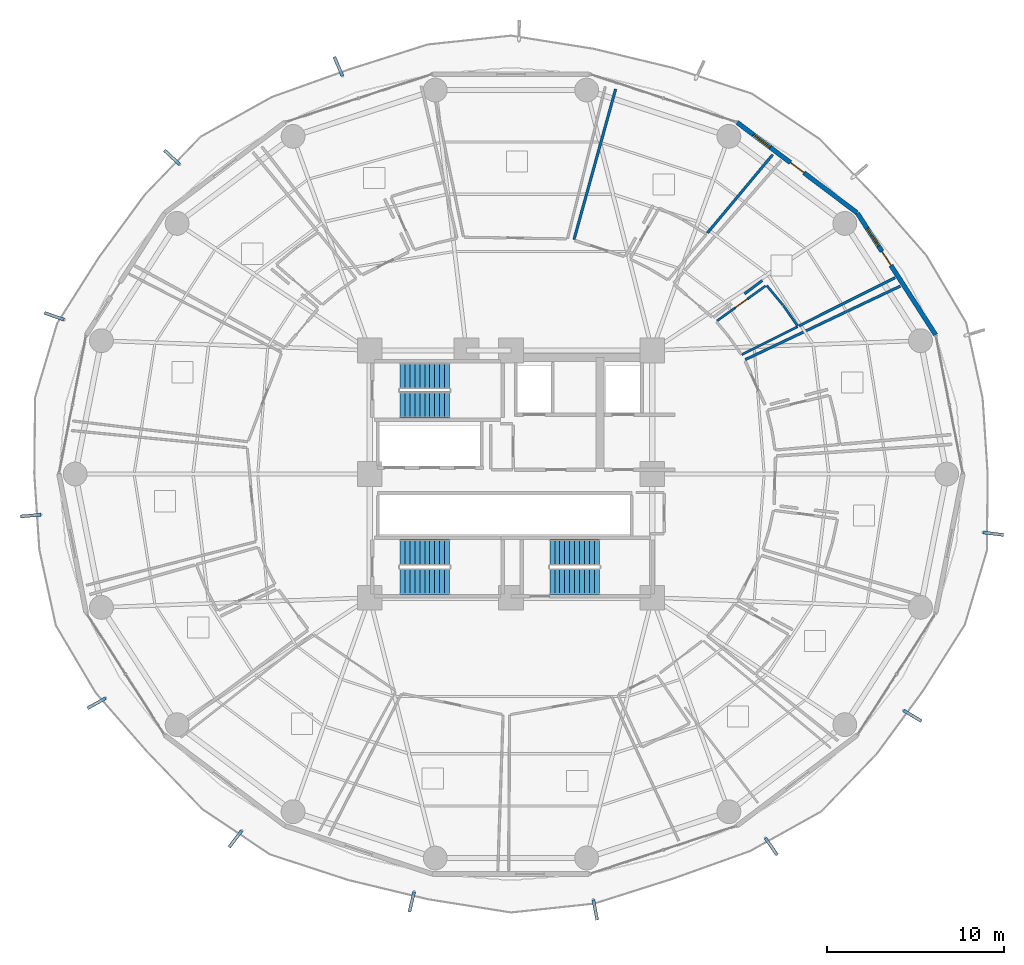
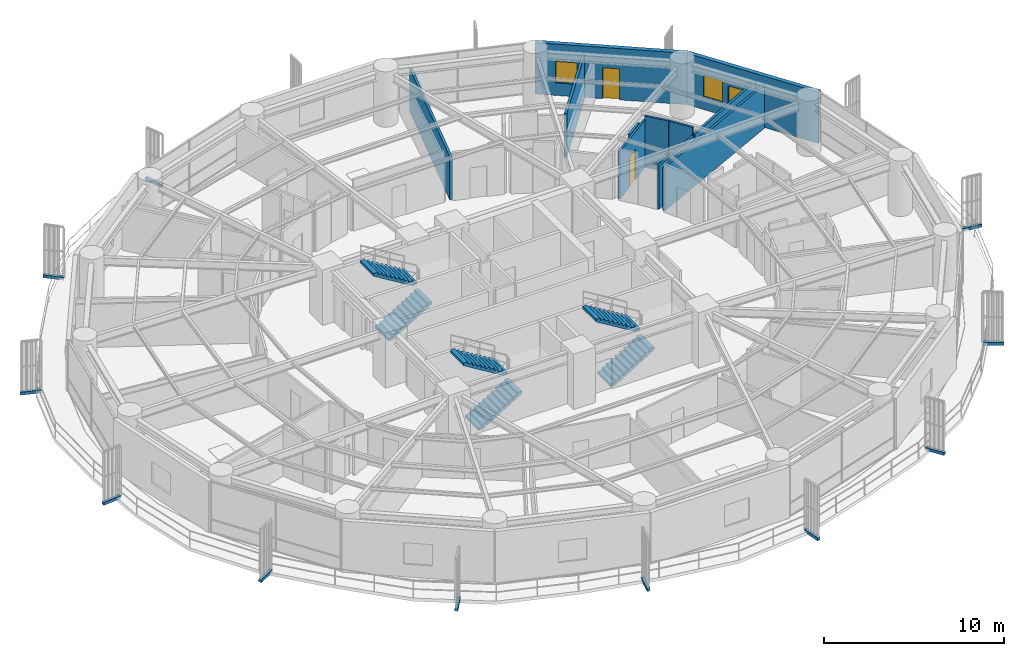
# One storey, part 31 of 36: 11 discrete accessories, 11 walls, 6 stair flights, 3 doors, 2 windows, 5 openings, 3 elements without a shape of their own.
"""IFC4 building model written with IfcOpenShell, lengths in metres."""

from ifc_helpers import new_model, si_unit, direction, frame, frame_2d, origin, origin_2d, place, context, subcontext, project, spatial, polyline, rectangle, outline, extrude, source, transform, mapped, material, layer, layer_set, type_object, element, fill, aggregate, save


model = new_model("IFC4")

# Units and contexts
model_context = context("Model", 3, precision=1e-05, world=origin(), true_north=direction((0.0, 1.0)))
body_context = subcontext(model_context, "Body", "Model", "MODEL_VIEW")
ifc_project = project(units=[si_unit("LENGTHUNIT", "METRE"), si_unit("AREAUNIT", "SQUARE_METRE"), si_unit("VOLUMEUNIT", "CUBIC_METRE"), si_unit("PLANEANGLEUNIT", "RADIAN"), si_unit("MASSUNIT", "GRAM", prefix="KILO")], contexts=[model_context])

# Site, building, storey
site_placement = place(None, origin())
site = spatial("IfcSite", under=ifc_project, at=site_placement, CompositionType="ELEMENT")
building_placement = place(site_placement, origin())
building = spatial("IfcBuilding", under=site, at=building_placement, Name="Kelanora Arch Commons", CompositionType="ELEMENT")
storey_placement = place(building_placement, frame((0.0, 0.0, 98.85009765625)))
storey = spatial("IfcBuildingStorey", under=building, at=storey_placement, Name="L25", CompositionType="ELEMENT", Elevation=98.85009765625)

# Walls
ifc_material_1 = material(Name="Autoclaved aerated concrete blockwork with fire plaster", Category="masonry")
ifc_layer_1 = layer(ifc_material_1, 0.14990234375)
ifc_layer_set_1 = layer_set([ifc_layer_1], Name="Autoclaved aerated concrete blockwork with fire plaster")
wall_type_1 = type_object("IfcWallType", Name="W-COMP-150", PredefinedType="PARTITIONING", material=ifc_layer_set_1)
wall_1_placement = place(storey_placement, frame((87.27001953125, 64.47900390625, 0.0), z_axis=(0.0, 0.0, 1.0), x_axis=(0.903543765611, 0.428495815178, 0.0)))
element("IfcWall", 1, at=wall_1_placement, inside=storey, type_object=wall_type_1, Name="Co-Living Studio L25-01 Enclosure Partition 2", PredefinedType="PARTITIONING", context=body_context, shape_type="SweptSolid", body=[
    extrude(rectangle(XDim=9.712646484375, YDim=0.14990234375, at=frame_2d((4.8564453125, 0.0))), origin(), (0.0, 0.0, 1.0), 2.9248046875),
])
wall_2_placement = place(storey_placement, frame((95.749267578125, 69.1201171875, 0.0), z_axis=(0.0, 0.0, 1.0), x_axis=(-0.89358164897, -0.448900697954, 0.0)))
element("IfcWall", 2, at=wall_2_placement, inside=storey, type_object=wall_type_1, Name="Co-Living Studio L25-02 Enclosure Partition 5", PredefinedType="PARTITIONING", context=body_context, shape_type="SweptSolid", body=[
    extrude(rectangle(XDim=6.074951171875, YDim=0.14990234375, at=frame_2d((3.03759765625, 0.0))), origin(), (0.0, 0.0, 1.0), 2.974853515625),
])
wall_3_placement = place(storey_placement, frame((88.22509765625, 68.952880859375, 0.0), z_axis=(0.0, 0.0, 1.0), x_axis=(-0.799225323022, -0.601031515846, 0.0)))
element("IfcWall", 3, at=wall_3_placement, inside=storey, type_object=wall_type_1, Name="Co-Living Studio L25-02 Enclosure Partition 7", PredefinedType="PARTITIONING", context=body_context, shape_type="SweptSolid", body=[
    extrude(rectangle(XDim=1.2490234375, YDim=0.14990234375, at=frame_2d((0.62451171875, 0.0))), origin(), (0.0, 0.0, 1.0), 2.9248046875),
])
wall_4_placement = place(storey_placement, frame((77.57080078125, 71.280517578125, 0.0), z_axis=(0.0, 0.0, 1.0), x_axis=(0.266746506471, 0.963766725554, 0.0)))
element("IfcWall", 4, at=wall_4_placement, inside=storey, type_object=wall_type_1, Name="Co-Living Studio L25-03 Enclosure Partition 2", PredefinedType="PARTITIONING", context=body_context, shape_type="SweptSolid", body=[
    extrude(rectangle(XDim=8.84130859375, YDim=0.14990234375, at=frame_2d((4.420654296875, 0.0))), origin(), (0.0, 0.0, 1.0), 2.9248046875),
])
wall_5_placement = place(storey_placement, frame((88.822509765625, 76.086181640625, 0.0), z_axis=(0.0, 0.0, 1.0), x_axis=(-0.640629420745, -0.767850210182, 0.0)))
element("IfcWall", 5, at=wall_5_placement, inside=storey, type_object=wall_type_1, Name="Co-Living Studio L25-03 Enclosure Partition 5", PredefinedType="PARTITIONING", context=body_context, shape_type="SweptSolid", body=[
    extrude(rectangle(XDim=5.7724609375, YDim=0.14990234375, at=frame_2d((2.88623046875, 0.0))), origin(), (0.0, 0.0, 1.0), 2.974853515625),
])

# Wall, openings, door, window
ifc_material_2 = material(Name="Precast concrete C40/50 with terracotta rainscreen", Category="masonry")
ifc_layer_2 = layer(ifc_material_2, 0.260009765625)
ifc_layer_set_2 = layer_set([ifc_layer_2], Name="Precast concrete C40/50 with terracotta rainscreen")
wall_type_2 = type_object("IfcWallType", Name="W-EXT-TC", PredefinedType="SOLIDWALL", material=ifc_layer_set_2)
wall_6_placement = place(storey_placement, frame((98.048095703125, 65.879150390625, 0.0), z_axis=(0.0, 0.0, 1.0), x_axis=(-0.540620528459, 0.841266571432, 0.0)))
wall_6 = element("IfcWall", 6, at=wall_6_placement, inside=storey, type_object=wall_type_2, Name="Terracotta Exterior Wall L25-B01", PredefinedType="SOLIDWALL", context=body_context, shape_type="SweptSolid", body=[
    extrude(rectangle(XDim=8.19287109375, YDim=0.260009765625, at=frame_2d((4.096435546875, 0.0))), origin(), (0.0, 0.0, 1.0), 3.474853515625),
])
opening_1_placement = place(wall_6_placement, frame((4.6708984375, 0.0, 0.0)))
opening_1 = element("IfcOpeningElement", 7, at=opening_1_placement, cuts=wall_6, Name="Opening DB-01", PredefinedType="OPENING", context=body_context, shape_type="SweptSolid", body=[
    extrude(rectangle(XDim=0.949951171875, YDim=2.10009765625, at=frame_2d((0.47509765625, 1.050048828125))), frame((0.0, 0.14013671875, 0.0), z_axis=(0.0, -1.0, 0.0), x_axis=(1.0, 0.0, 0.0)), (0.0, 0.0, 1.0), 0.280029296875),
])
opening_2_placement = place(wall_6_placement, frame((5.970947265625, 0.0, 0.85009765625)))
opening_2 = element("IfcOpeningElement", 8, at=opening_2_placement, cuts=wall_6, Name="Opening WN-02", PredefinedType="OPENING", context=body_context, shape_type="SweptSolid", body=[
    extrude(rectangle(XDim=1.199951171875, YDim=1.449951171875, at=frame_2d((0.60009765625, 0.72509765625))), frame((0.0, 0.14013671875, 0.0), z_axis=(0.0, -1.0, 0.0), x_axis=(1.0, 0.0, 0.0)), (0.0, 0.0, 1.0), 0.280029296875),
])
ifc_material_3 = material(Name="Terracotta-aluminium thermally broken glazed balcony door", Category="masonry")
door_type_1 = type_object("IfcDoorType", Name="D-BAL-10", OperationType="NOTDEFINED", PredefinedType="DOOR", material=ifc_material_3)
door_1_placement = place(opening_1_placement, frame((0.949951171875, 0.0, 0.0), z_axis=(0.0, 0.0, 1.0), x_axis=(-1.0, 0.0, 0.0)))
door_1 = element("IfcDoor", 9, at=door_1_placement, inside=storey, type_object=door_type_1, Name="Wave Balcony Door L25-B01", OperationType="SINGLE_SWING_LEFT", OverallHeight=2.10009765625, OverallWidth=0.949951171875, PredefinedType="DOOR", context=body_context, shape_type="SweptSolid", body=[
    extrude(rectangle(XDim=0.949951171875, YDim=2.10009765625, at=frame_2d((0.47509765625, 1.050048828125))), frame((0.0, 0.02490234375, 0.0), z_axis=(0.0, -1.0, 0.0), x_axis=(1.0, 0.0, 0.0)), (0.0, 0.0, 1.0), 0.050048828125),
])
fill(opening_1, door_1)
ifc_material_4 = material(Name="Terracotta-anodised aluminium frame with operable awning sash", Category="masonry")
window_type = type_object("IfcWindowType", Name="WIN-CL-12", PartitioningType="SINGLE_PANEL", PredefinedType="WINDOW", material=ifc_material_4)
window_1_placement = place(opening_2_placement, origin())
window_1 = element("IfcWindow", 10, at=window_1_placement, inside=storey, type_object=window_type, Name="Co-Living Operable Window L25-B01", OverallHeight=1.449951171875, OverallWidth=1.199951171875, PartitioningType="SINGLE_PANEL", PredefinedType="WINDOW", context=body_context, shape_type="SweptSolid", body=[
    extrude(rectangle(XDim=1.199951171875, YDim=1.449951171875, at=frame_2d((0.60009765625, 0.72509765625))), frame((0.0, 0.030029296875, 0.0), z_axis=(0.0, -1.0, 0.0), x_axis=(1.0, 0.0, 0.0)), (0.0, 0.0, 1.0), 0.06005859375),
])
fill(opening_2, window_1)

wall_7_placement = place(storey_placement, frame((93.5986328125, 72.793212890625, 0.0), z_axis=(0.0, 0.0, 1.0), x_axis=(-0.798501507879, 0.601992808857, 0.0)))
wall_7 = element("IfcWall", 11, at=wall_7_placement, inside=storey, type_object=wall_type_2, Name="Terracotta Exterior Wall L25-B02", PredefinedType="SOLIDWALL", context=body_context, shape_type="SweptSolid", body=[
    extrude(rectangle(XDim=8.499267578125, YDim=0.260009765625, at=frame_2d((4.24951171875, 0.0))), origin(), (0.0, 0.0, 1.0), 3.474853515625),
])
opening_3_placement = place(wall_7_placement, frame((3.77490234375, 0.0, 0.0)))
opening_3 = element("IfcOpeningElement", 12, at=opening_3_placement, cuts=wall_7, Name="Opening DB-01", PredefinedType="OPENING", context=body_context, shape_type="SweptSolid", body=[
    extrude(rectangle(XDim=0.949951171875, YDim=2.10009765625, at=frame_2d((0.47509765625, 1.050048828125))), frame((0.0, 0.14013671875, 0.0), z_axis=(0.0, -1.0, 0.0), x_axis=(1.0, 0.0, 0.0)), (0.0, 0.0, 1.0), 0.280029296875),
])
opening_4_placement = place(wall_7_placement, frame((6.155029296875, 0.0, 0.85009765625)))
opening_4 = element("IfcOpeningElement", 13, at=opening_4_placement, cuts=wall_7, Name="Opening WN-02", PredefinedType="OPENING", context=body_context, shape_type="SweptSolid", body=[
    extrude(rectangle(XDim=1.199951171875, YDim=1.449951171875, at=frame_2d((0.60009765625, 0.72509765625))), frame((0.0, 0.14013671875, 0.0), z_axis=(0.0, -1.0, 0.0), x_axis=(1.0, 0.0, 0.0)), (0.0, 0.0, 1.0), 0.280029296875),
])
door_2_placement = place(opening_3_placement, frame((0.949951171875, 0.0, 0.0), z_axis=(0.0, 0.0, 1.0), x_axis=(-1.0, 0.0, 0.0)))
door_2 = element("IfcDoor", 14, at=door_2_placement, inside=storey, type_object=door_type_1, Name="Wave Balcony Door L25-B02", OperationType="SINGLE_SWING_RIGHT", OverallHeight=2.10009765625, OverallWidth=0.949951171875, PredefinedType="DOOR", context=body_context, shape_type="SweptSolid", body=[
    extrude(rectangle(XDim=0.949951171875, YDim=2.10009765625, at=frame_2d((0.47509765625, 1.050048828125))), frame((0.0, 0.02490234375, 0.0), z_axis=(0.0, -1.0, 0.0), x_axis=(1.0, 0.0, 0.0)), (0.0, 0.0, 1.0), 0.050048828125),
])
fill(opening_3, door_2)
window_2_placement = place(opening_4_placement, origin())
window_2 = element("IfcWindow", 15, at=window_2_placement, inside=storey, type_object=window_type, Name="Co-Living Operable Window L25-B02", OverallHeight=1.449951171875, OverallWidth=1.199951171875, PartitioningType="SINGLE_PANEL", PredefinedType="WINDOW", context=body_context, shape_type="SweptSolid", body=[
    extrude(rectangle(XDim=1.199951171875, YDim=1.449951171875, at=frame_2d((0.60009765625, 0.72509765625))), frame((0.0, 0.030029296875, 0.0), z_axis=(0.0, -1.0, 0.0), x_axis=(1.0, 0.0, 0.0)), (0.0, 0.0, 1.0), 0.06005859375),
])
fill(opening_4, window_2)

# Wall, opening, door
ifc_material_5 = material(Name="Moisture-resistant fire-rated cement-board plumbing wall")
ifc_layer_3 = layer(ifc_material_5, 0.1298828125)
ifc_layer_set_3 = layer_set([ifc_layer_3], Name="Moisture-resistant fire-rated cement-board plumbing wall")
wall_type_3 = type_object("IfcWallType", Name="W-WET-120", PredefinedType="PLUMBINGWALL", material=ifc_layer_set_3)
wall_8_placement = place(storey_placement, frame((85.672607421875, 66.676025390625, 0.0), z_axis=(0.0, 0.0, 1.0), x_axis=(0.811192287952, 0.584779507137, 0.0)))
wall_8 = element("IfcWall", 16, at=wall_8_placement, inside=storey, type_object=wall_type_3, Name="En-Suite Shower WC L25-02 Entry Partition", PredefinedType="PLUMBINGWALL", context=body_context, shape_type="SweptSolid", body=[
    extrude(rectangle(XDim=3.3857421875, YDim=0.1298828125, at=frame_2d((1.69287109375, 0.0))), origin(), (0.0, 0.0, 1.0), 3.23486328125),
])
opening_5_placement = place(wall_8_placement, frame((1.262939453125, 0.0, 0.0)))
opening_5 = element("IfcOpeningElement", 17, at=opening_5_placement, cuts=wall_8, Name="Opening D-BT1", PredefinedType="OPENING", context=body_context, shape_type="SweptSolid", body=[
    extrude(rectangle(XDim=0.860107421875, YDim=2.050048828125, at=frame_2d((0.43017578125, 1.02490234375))), frame((0.0, 0.074951171875, 0.0), z_axis=(0.0, -1.0, 0.0), x_axis=(1.0, 0.0, 0.0)), (0.0, 0.0, 1.0), 0.14990234375),
])
ifc_material_6 = material(Name="Moisture-sealed fire-rated accessible bathroom door")
door_type_2 = type_object("IfcDoorType", Name="D-BATH-85", OperationType="NOTDEFINED", PredefinedType="DOOR", material=ifc_material_6)
door_3_placement = place(opening_5_placement, origin())
door_3 = element("IfcDoor", 18, at=door_3_placement, inside=storey, type_object=door_type_2, Name="En-Suite Shower WC L25-02 Door", OperationType="SINGLE_SWING_LEFT", OverallHeight=2.050048828125, OverallWidth=0.860107421875, PredefinedType="DOOR", context=body_context, shape_type="SweptSolid", body=[
    extrude(rectangle(XDim=0.860107421875, YDim=2.050048828125, at=frame_2d((0.43017578125, 1.02490234375))), frame((0.0, 0.02490234375, 0.0), z_axis=(0.0, -1.0, 0.0), x_axis=(1.0, 0.0, 0.0)), (0.0, 0.0, 1.0), 0.050048828125),
])
fill(opening_5, door_3)

# Walls
wall_9_placement = place(storey_placement, frame((88.480712890625, 68.675537109375, 0.0), z_axis=(0.0, 0.0, 1.0), x_axis=(0.640685734907, -0.767803222894, 0.0)))
element("IfcWall", 19, at=wall_9_placement, inside=storey, type_object=wall_type_3, Name="En-Suite Shower WC L25-02 Enclosure Partition 4", PredefinedType="PLUMBINGWALL", context=body_context, shape_type="SweptSolid", body=[
    extrude(rectangle(XDim=1.4365234375, YDim=0.1298828125, at=frame_2d((0.71826171875, 0.0))), origin(), (0.0, 0.0, 1.0), 3.47998046875),
])
wall_10_placement = place(storey_placement, frame((89.42529296875, 67.54052734375, 0.0), z_axis=(0.0, 0.0, 1.0), x_axis=(0.571009238548, -0.820943633566, 0.0)))
element("IfcWall", 20, at=wall_10_placement, inside=storey, type_object=wall_type_3, Name="En-Suite Shower WC L25-02 Enclosure Partition 5", PredefinedType="PLUMBINGWALL", context=body_context, shape_type="SweptSolid", body=[
    extrude(rectangle(XDim=1.42431640625, YDim=0.1298828125, at=frame_2d((0.712158203125, 0.0))), origin(), (0.0, 0.0, 1.0), 3.47998046875),
])
wall_11_placement = place(storey_placement, frame((90.232177734375, 66.345947265625, 0.0), z_axis=(0.0, 0.0, 1.0), x_axis=(-0.893873710096, -0.448318849034, 0.0)))
element("IfcWall", 21, at=wall_11_placement, inside=storey, type_object=wall_type_3, Name="En-Suite Shower WC L25-02 Enclosure Partition 6", PredefinedType="PLUMBINGWALL", context=body_context, shape_type="SweptSolid", body=[
    extrude(rectangle(XDim=3.533203125, YDim=0.1298828125, at=frame_2d((1.7666015625, 0.0))), origin(), (0.0, 0.0, 1.0), 2.9248046875),
])

# Stair, stair flights
ifc_material_7 = material(Name="Concrete C40/50", Category="concrete")
stair_type = type_object("IfcStairType", Name="STR-DL-375", PredefinedType="HALF_TURN_STAIR", material=ifc_material_7)
stair_1_placement = place(storey_placement, origin())
stair_1 = element("IfcStair", 22, at=stair_1_placement, inside=storey, type_object=stair_type, Name="L25 ST-T1", PredefinedType="HALF_TURN_STAIR")
stair_flight_type = type_object("IfcStairFlightType", Name="FLT-DL-375", PredefinedType="STRAIGHT", material=ifc_material_7)
stair_flight_1_placement = place(storey_placement, frame((67.719970703125, 61.919921875, 0.0), z_axis=(0.0, 0.0, 1.0), x_axis=(1.0, 0.0, 0.0)))
stair_flight_1 = element("IfcStairFlight", 23, at=stair_flight_1_placement, type_object=stair_flight_type, Name="ST-T1 flight 1", NumberOfRisers=11, NumberOfTreads=10, PredefinedType="STRAIGHT", RiserHeight=0.170454545, TreadLength=0.28, context=body_context, shape_type="SweptSolid", body=[
    extrude(outline(polyline([(0.0, 0.0), (0.0, 0.17041015625), (0.280029296875, 0.17041015625), (0.280029296875, 0.3408203125), (0.56005859375, 0.3408203125), (0.56005859375, 0.511474609375), (0.840087890625, 0.511474609375), (0.840087890625, 0.681884765625), (1.1201171875, 0.681884765625), (1.1201171875, 0.852294921875), (1.39990234375, 0.852294921875), (1.39990234375, 1.022705078125), (1.679931640625, 1.022705078125), (1.679931640625, 1.193115234375), (1.9599609375, 1.193115234375), (1.9599609375, 1.363525390625), (2.239990234375, 1.363525390625), (2.239990234375, 1.5341796875), (2.52001953125, 1.5341796875), (2.52001953125, 1.70458984375), (2.800048828125, 1.70458984375), (2.800048828125, 1.875), (2.800048828125, 1.529052734375), (0.288330078125, 0.0), (0.0, 0.0)])), frame((0.0, 0.739990234375, 0.0), z_axis=(0.0, -1.0, 0.0), x_axis=(1.0, 0.0, 0.0)), (0.0, 0.0, 1.0), 1.47998046875),
])
stair_flight_2_placement = place(storey_placement, frame((70.52001953125, 63.550048828125, 1.875), z_axis=(0.0, 0.0, 1.0), x_axis=(-1.0, 0.0, 0.0)))
stair_flight_2 = element("IfcStairFlight", 24, at=stair_flight_2_placement, type_object=stair_flight_type, Name="ST-T1 flight 2", NumberOfRisers=11, NumberOfTreads=10, PredefinedType="STRAIGHT", RiserHeight=0.170454545, TreadLength=0.28, context=body_context, shape_type="SweptSolid", body=[
    extrude(outline(polyline([(0.0, 0.0), (0.0, 0.17041015625), (0.280029296875, 0.17041015625), (0.280029296875, 0.3408203125), (0.56005859375, 0.3408203125), (0.56005859375, 0.511474609375), (0.840087890625, 0.511474609375), (0.840087890625, 0.681884765625), (1.1201171875, 0.681884765625), (1.1201171875, 0.852294921875), (1.39990234375, 0.852294921875), (1.39990234375, 1.022705078125), (1.679931640625, 1.022705078125), (1.679931640625, 1.193115234375), (1.9599609375, 1.193115234375), (1.9599609375, 1.363525390625), (2.239990234375, 1.363525390625), (2.239990234375, 1.5341796875), (2.52001953125, 1.5341796875), (2.52001953125, 1.70458984375), (2.800048828125, 1.70458984375), (2.800048828125, 1.875), (2.800048828125, 1.529052734375), (0.288330078125, 0.0), (0.0, 0.0)])), frame((0.0, 0.739990234375, 0.0), z_axis=(0.0, -1.0, 0.0), x_axis=(1.0, 0.0, 0.0)), (0.0, 0.0, 1.0), 1.47998046875),
])
aggregate(stair_1, [stair_flight_1, stair_flight_2])

stair_2_placement = place(storey_placement, origin())
stair_2 = element("IfcStair", 25, at=stair_2_placement, inside=storey, type_object=stair_type, Name="L25 ST-T2", PredefinedType="HALF_TURN_STAIR")
stair_flight_3_placement = place(storey_placement, frame((76.199951171875, 51.919921875, 0.0), z_axis=(0.0, 0.0, 1.0), x_axis=(1.0, 0.0, 0.0)))
stair_flight_3 = element("IfcStairFlight", 26, at=stair_flight_3_placement, type_object=stair_flight_type, Name="ST-T2 flight 1", NumberOfRisers=11, NumberOfTreads=10, PredefinedType="STRAIGHT", RiserHeight=0.170454545, TreadLength=0.28, context=body_context, shape_type="SweptSolid", body=[
    extrude(outline(polyline([(0.0, 0.0), (0.0, 0.17041015625), (0.280029296875, 0.17041015625), (0.280029296875, 0.3408203125), (0.56005859375, 0.3408203125), (0.56005859375, 0.511474609375), (0.840087890625, 0.511474609375), (0.840087890625, 0.681884765625), (1.1201171875, 0.681884765625), (1.1201171875, 0.852294921875), (1.39990234375, 0.852294921875), (1.39990234375, 1.022705078125), (1.679931640625, 1.022705078125), (1.679931640625, 1.193115234375), (1.9599609375, 1.193115234375), (1.9599609375, 1.363525390625), (2.239990234375, 1.363525390625), (2.239990234375, 1.5341796875), (2.52001953125, 1.5341796875), (2.52001953125, 1.70458984375), (2.800048828125, 1.70458984375), (2.800048828125, 1.875), (2.800048828125, 1.529052734375), (0.288330078125, 0.0), (0.0, 0.0)])), frame((0.0, 0.739990234375, 0.0), z_axis=(0.0, -1.0, 0.0), x_axis=(1.0, 0.0, 0.0)), (0.0, 0.0, 1.0), 1.47998046875),
])
stair_flight_4_placement = place(storey_placement, frame((79.0, 53.550048828125, 1.875), z_axis=(0.0, 0.0, 1.0), x_axis=(-1.0, 0.0, 0.0)))
stair_flight_4 = element("IfcStairFlight", 27, at=stair_flight_4_placement, type_object=stair_flight_type, Name="ST-T2 flight 2", NumberOfRisers=11, NumberOfTreads=10, PredefinedType="STRAIGHT", RiserHeight=0.170454545, TreadLength=0.28, context=body_context, shape_type="SweptSolid", body=[
    extrude(outline(polyline([(0.0, 0.0), (0.0, 0.17041015625), (0.280029296875, 0.17041015625), (0.280029296875, 0.3408203125), (0.56005859375, 0.3408203125), (0.56005859375, 0.511474609375), (0.840087890625, 0.511474609375), (0.840087890625, 0.681884765625), (1.1201171875, 0.681884765625), (1.1201171875, 0.852294921875), (1.39990234375, 0.852294921875), (1.39990234375, 1.022705078125), (1.679931640625, 1.022705078125), (1.679931640625, 1.193115234375), (1.9599609375, 1.193115234375), (1.9599609375, 1.363525390625), (2.239990234375, 1.363525390625), (2.239990234375, 1.5341796875), (2.52001953125, 1.5341796875), (2.52001953125, 1.70458984375), (2.800048828125, 1.70458984375), (2.800048828125, 1.875), (2.800048828125, 1.529052734375), (0.288330078125, 0.0), (0.0, 0.0)])), frame((0.0, 0.739990234375, 0.0), z_axis=(0.0, -1.0, 0.0), x_axis=(1.0, 0.0, 0.0)), (0.0, 0.0, 1.0), 1.47998046875),
])
aggregate(stair_2, [stair_flight_3, stair_flight_4])

stair_3_placement = place(storey_placement, origin())
stair_3 = element("IfcStair", 28, at=stair_3_placement, inside=storey, type_object=stair_type, Name="L25 ST-T3", PredefinedType="HALF_TURN_STAIR")
stair_flight_5_placement = place(storey_placement, frame((67.719970703125, 51.919921875, 0.0), z_axis=(0.0, 0.0, 1.0), x_axis=(1.0, 0.0, 0.0)))
stair_flight_5 = element("IfcStairFlight", 29, at=stair_flight_5_placement, type_object=stair_flight_type, Name="ST-T3 flight 1", NumberOfRisers=11, NumberOfTreads=10, PredefinedType="STRAIGHT", RiserHeight=0.170454545, TreadLength=0.28, context=body_context, shape_type="SweptSolid", body=[
    extrude(outline(polyline([(0.0, 0.0), (0.0, 0.17041015625), (0.280029296875, 0.17041015625), (0.280029296875, 0.3408203125), (0.56005859375, 0.3408203125), (0.56005859375, 0.511474609375), (0.840087890625, 0.511474609375), (0.840087890625, 0.681884765625), (1.1201171875, 0.681884765625), (1.1201171875, 0.852294921875), (1.39990234375, 0.852294921875), (1.39990234375, 1.022705078125), (1.679931640625, 1.022705078125), (1.679931640625, 1.193115234375), (1.9599609375, 1.193115234375), (1.9599609375, 1.363525390625), (2.239990234375, 1.363525390625), (2.239990234375, 1.5341796875), (2.52001953125, 1.5341796875), (2.52001953125, 1.70458984375), (2.800048828125, 1.70458984375), (2.800048828125, 1.875), (2.800048828125, 1.529052734375), (0.288330078125, 0.0), (0.0, 0.0)])), frame((0.0, 0.739990234375, 0.0), z_axis=(0.0, -1.0, 0.0), x_axis=(1.0, 0.0, 0.0)), (0.0, 0.0, 1.0), 1.47998046875),
])
stair_flight_6_placement = place(storey_placement, frame((70.52001953125, 53.550048828125, 1.875), z_axis=(0.0, 0.0, 1.0), x_axis=(-1.0, 0.0, 0.0)))
stair_flight_6 = element("IfcStairFlight", 30, at=stair_flight_6_placement, type_object=stair_flight_type, Name="ST-T3 flight 2", NumberOfRisers=11, NumberOfTreads=10, PredefinedType="STRAIGHT", RiserHeight=0.170454545, TreadLength=0.28, context=body_context, shape_type="SweptSolid", body=[
    extrude(outline(polyline([(0.0, 0.0), (0.0, 0.17041015625), (0.280029296875, 0.17041015625), (0.280029296875, 0.3408203125), (0.56005859375, 0.3408203125), (0.56005859375, 0.511474609375), (0.840087890625, 0.511474609375), (0.840087890625, 0.681884765625), (1.1201171875, 0.681884765625), (1.1201171875, 0.852294921875), (1.39990234375, 0.852294921875), (1.39990234375, 1.022705078125), (1.679931640625, 1.022705078125), (1.679931640625, 1.193115234375), (1.9599609375, 1.193115234375), (1.9599609375, 1.363525390625), (2.239990234375, 1.363525390625), (2.239990234375, 1.5341796875), (2.52001953125, 1.5341796875), (2.52001953125, 1.70458984375), (2.800048828125, 1.70458984375), (2.800048828125, 1.875), (2.800048828125, 1.529052734375), (0.288330078125, 0.0), (0.0, 0.0)])), frame((0.0, 0.739990234375, 0.0), z_axis=(0.0, -1.0, 0.0), x_axis=(1.0, 0.0, 0.0)), (0.0, 0.0, 1.0), 1.47998046875),
])
aggregate(stair_3, [stair_flight_5, stair_flight_6])

# Discrete accessories
ifc_material_8 = material(Name="Stainless steel 316 marine fin bracket", Category="steel")
discrete_accessory_type = type_object("IfcDiscreteAccessoryType", Name="ACC-FIN-BRK", PredefinedType="BRACKET", material=ifc_material_8)
shared_shape = source(origin(), body_context, "Body", "SweptSolid", [
    extrude(rectangle(XDim=1.1669921875, YDim=0.179931640625, at=origin_2d()), origin(), (0.0, 0.0, 1.0), 0.199951171875),
])
for number, where, z_axis, x_axis, name in (
    (31, (64.226806640625, 81.083740234375, -0.16015625), (0.0, 0.0, 1.0), (-0.389927687788, 0.920845480141, 0.0), "Sweeping Fin Cantilever Spine Bracket L25-03"),
    (32, (54.801025390625, 75.9365234375, -0.16015625), (0.0, 0.0, 1.0), (-0.730758267372, 0.6826363268, 0.0), "Sweeping Fin Cantilever Spine Bracket L25-04"),
    (33, (48.135498046875, 66.9326171875, -0.16015625), (0.0, 0.0, 1.0), (-0.945234103797, 0.326393150999, 0.0), "Sweeping Fin Cantilever Spine Bracket L25-05"),
    (34, (46.79833984375, 55.6455078125, -0.16015625), (0.0, 0.0, 1.0), (-0.996270376493, -0.086286365798, 0.0), "Sweeping Fin Cantilever Spine Bracket L25-06"),
    (35, (50.5322265625, 45.02001953125, -0.16015625), (0.0, 0.0, 1.0), (-0.875042450261, -0.484046186062, 0.0), "Sweeping Fin Cantilever Spine Bracket L25-07"),
    (36, (58.3974609375, 37.334716796875, -0.16015625), (0.0, 0.0, 1.0), (-0.602511734868, -0.798110023334, 0.0), "Sweeping Fin Cantilever Spine Bracket L25-08"),
    (37, (68.382568359375, 33.770263671875, -0.16015625), (0.0, 0.0, 1.0), (-0.225801266869, -0.97417338697, 0.0), "Sweeping Fin Cantilever Spine Bracket L25-09"),
    (38, (78.7744140625, 33.315673828125, -0.16015625), (0.0, 0.0, 1.0), (0.189952291512, -0.981793321911, 0.0), "Sweeping Fin Cantilever Spine Bracket L25-10"),
    (39, (88.74169921875, 36.9052734375, -0.16015625), (0.0, 0.0, 1.0), (0.572861373028, -0.819652272182, 0.0), "Sweeping Fin Cantilever Spine Bracket L25-11"),
    (40, (96.739013671875, 44.308349609375, -0.16015625), (0.0, 0.0, 1.0), (0.856717518865, -0.515785898285, 0.0), "Sweeping Fin Cantilever Spine Bracket L25-12"),
    (41, (101.32080078125, 54.619873046875, -0.16015625), (0.0, 0.0, 1.0), (0.992439422656, -0.122735456807, 0.0), "Sweeping Fin Cantilever Spine Bracket L25-13"),
):
    element("IfcDiscreteAccessory", number, at=place(storey_placement, frame(where, z_axis=z_axis, x_axis=x_axis)), inside=storey, type_object=discrete_accessory_type, Name=name, PredefinedType="BRACKET", context=body_context, shape_type="MappedRepresentation", body=[
        mapped(shared_shape, transform((0.0, 0.0, 0.0), scale=1.0)),
    ])

save(model, "model.ifc")
